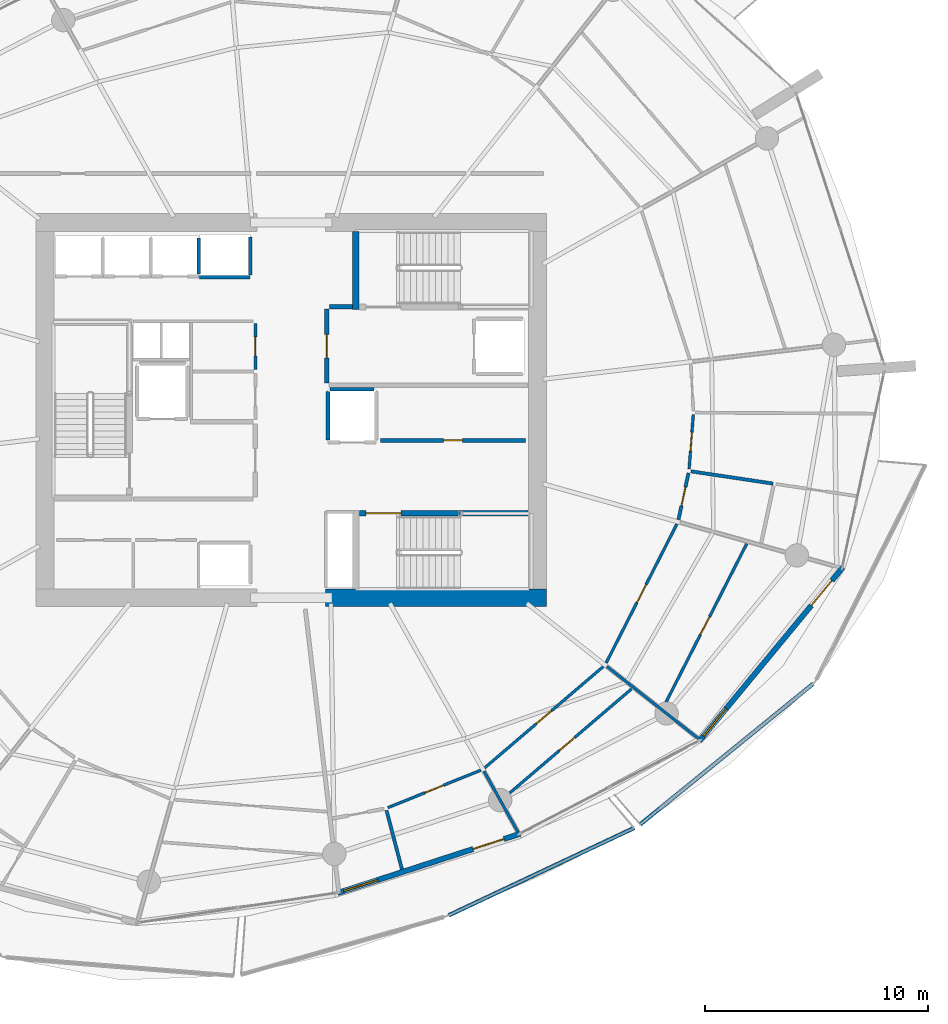
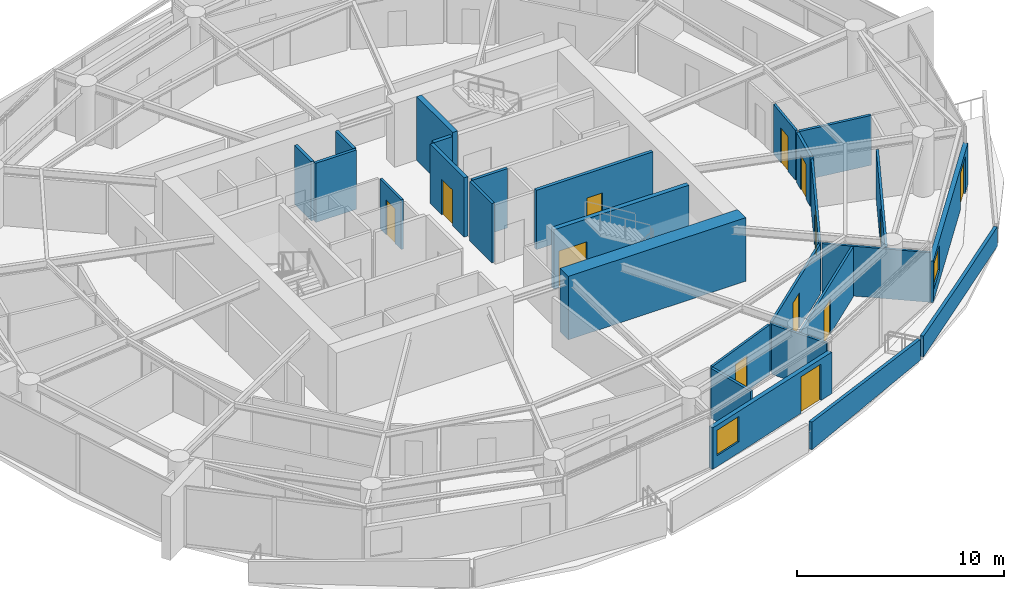
# One storey, part 13 of 20: 27 walls, 13 doors, 2 windows, 15 openings.
"""IFC4 building model written with IfcOpenShell, lengths in metres."""

from ifc_helpers import new_model, si_unit, direction, frame, frame_2d, origin, place, context, subcontext, project, spatial, polyline, rectangle, outline, extrude, material, layer, layer_set, type_object, element, fill, save


model = new_model("IFC4")

# Units and contexts
model_context = context("Model", 3, precision=1e-05, world=origin(), true_north=direction((0.0, 1.0)))
body_context = subcontext(model_context, "Body", "Model", "MODEL_VIEW")
ifc_project = project(units=[si_unit("LENGTHUNIT", "METRE"), si_unit("AREAUNIT", "SQUARE_METRE"), si_unit("VOLUMEUNIT", "CUBIC_METRE"), si_unit("PLANEANGLEUNIT", "RADIAN"), si_unit("MASSUNIT", "GRAM", prefix="KILO")], contexts=[model_context])

# Site, building, storey
site_placement = place(None, origin())
site = spatial("IfcSite", under=ifc_project, at=site_placement, CompositionType="ELEMENT")
building_placement = place(site_placement, origin())
building = spatial("IfcBuilding", under=site, at=building_placement, Name="Kazma Halo Residences", CompositionType="ELEMENT")
storey_placement = place(building_placement, frame((0.0, 0.0, 142.800048828125)))
storey = spatial("IfcBuildingStorey", under=building, at=storey_placement, Name="L35", CompositionType="ELEMENT", Elevation=142.800048828125)

# Walls
ifc_material_1 = material(Name="White Concrete C50/60 Balustrade", Category="concrete")
ifc_layer_1 = layer(ifc_material_1, 0.179931640625)
ifc_layer_set_1 = layer_set([ifc_layer_1], Name="White Concrete C50/60 Balustrade")
wall_type_1 = type_object("IfcWallType", Name="WL-BAL-WAVE-180", PredefinedType="PARAPET", material=ifc_layer_set_1)
wall_1_placement = place(storey_placement, frame((55.4775390625, 19.371826171875, 0.0), z_axis=(0.0, 0.0, 1.0), x_axis=(0.904569140233, 0.42632695263, 0.0)))
element("IfcWall", 1, at=wall_1_placement, inside=storey, type_object=wall_type_1, Name="L35 white wave balustrade wall SSE.2", PredefinedType="PARAPET", context=body_context, shape_type="SweptSolid", body=[
    extrude(outline(polyline([(0.0, 0.0), (9.184326171875, 0.0), (9.184326171875, 1.23291015625), (4.59228515625, 1.41796875), (0.0, 1.6318359375), (0.0, 0.0)])), frame((0.0, 0.08984375, 0.0), z_axis=(0.0, -1.0, 0.0), x_axis=(1.0, 0.0, 0.0)), (0.0, 0.0, 1.0), 0.179931640625),
])
wall_2_placement = place(storey_placement, frame((64.048828125, 23.43994140625, 0.0), z_axis=(0.0, 0.0, 1.0), x_axis=(0.77587192649, 0.630890445073, 0.0)))
element("IfcWall", 2, at=wall_2_placement, inside=storey, type_object=wall_type_1, Name="L35 white wave balustrade wall SE.1", PredefinedType="PARAPET", context=body_context, shape_type="SweptSolid", body=[
    extrude(outline(polyline([(0.0, 0.0), (9.99755859375, 0.0), (9.99755859375, 1.14794921875), (4.998779296875, 1.126953125), (0.0, 1.223876953125), (0.0, 0.0)])), frame((0.0, 0.08984375, 0.0), z_axis=(0.0, -1.0, 0.0), x_axis=(1.0, 0.0, 0.0)), (0.0, 0.0, 1.0), 0.179931640625),
])
ifc_material_2 = material(Name="Concrete C80/95", Category="concrete")
ifc_layer_2 = layer(ifc_material_2, 0.800048828125)
ifc_layer_set_2 = layer_set([ifc_layer_2], Name="Concrete C80/95")
wall_type_2 = type_object("IfcWallType", Name="WL-CORE-800", PredefinedType="SHEAR", material=ifc_layer_set_2)
wall_3_placement = place(storey_placement, frame((49.949951171875, 33.60009765625, 0.0), z_axis=(0.0, 0.0, 1.0), x_axis=(1.0, 0.0, 0.0)))
element("IfcWall", 3, at=wall_3_placement, inside=storey, type_object=wall_type_2, Name="L35 central core shear wall SE", PredefinedType="SHEAR", context=body_context, shape_type="SweptSolid", body=[
    extrude(rectangle(XDim=9.900146484375, YDim=0.800048828125, at=frame_2d((4.9501953125, 0.0))), origin(), (0.0, 0.0, 1.0), 3.75),
])
ifc_material_3 = material(Name="Concrete C60/75", Category="concrete")
ifc_layer_3 = layer(ifc_material_3, 0.280029296875)
ifc_layer_set_3 = layer_set([ifc_layer_3], Name="Concrete C60/75")
wall_type_3 = type_object("IfcWallType", Name="WL-CORE-ST-280", PredefinedType="SHEAR", material=ifc_layer_set_3)
wall_4_placement = place(storey_placement, frame((51.31005859375, 46.5, 0.0), z_axis=(0.0, 0.0, 1.0), x_axis=(0.0, 1.0, 0.0)))
element("IfcWall", 4, at=wall_4_placement, inside=storey, type_object=wall_type_3, Name="L35 stairwell bearing wall ST02-W", PredefinedType="SHEAR", context=body_context, shape_type="SweptSolid", body=[
    extrude(rectangle(XDim=3.5, YDim=0.280029296875, at=frame_2d((1.75, 0.0))), origin(), (0.0, 0.0, 1.0), 3.75),
])

# Wall, openings, door, window
ifc_material_4 = material(Name="Insulated Pale-Metal Composite Wall")
ifc_layer_4 = layer(ifc_material_4, 0.239990234375)
ifc_layer_set_4 = layer_set([ifc_layer_4], Name="Insulated Pale-Metal Composite Wall")
wall_type_4 = type_object("IfcWallType", Name="WL-EXT-HOST-240", PredefinedType="SOLIDWALL", material=ifc_layer_set_4)
wall_5_placement = place(storey_placement, frame((50.510009765625, 20.375732421875, 0.0), z_axis=(0.0, 0.0, 1.0), x_axis=(0.951046390632, 0.309048156224, 0.0)))
wall_5 = element("IfcWall", 5, at=wall_5_placement, inside=storey, type_object=wall_type_4, Name="L35 exterior terrace-access wall B12", PredefinedType="SOLIDWALL", context=body_context, shape_type="SweptSolid", body=[
    extrude(rectangle(XDim=8.590087890625, YDim=0.239990234375, at=frame_2d((4.294921875, 0.0))), origin(), (0.0, 0.0, 1.0), 2.449951171875),
])
opening_1_placement = place(wall_5_placement, frame((6.370361328125, 0.0, 0.0)))
opening_1 = element("IfcOpeningElement", 6, at=opening_1_placement, cuts=wall_5, Name="Opening DTR-1600", PredefinedType="OPENING", context=body_context, shape_type="SweptSolid", body=[
    extrude(rectangle(XDim=1.449951171875, YDim=2.14990234375, at=frame_2d((0.72509765625, 1.074951171875))), frame((0.0, 0.1298828125, 0.0), z_axis=(0.0, -1.0, 0.0), x_axis=(1.0, 0.0, 0.0)), (0.0, 0.0, 1.0), 0.260009765625),
])
opening_2_placement = place(wall_5_placement, frame((0.280029296875, 0.0, 0.64990234375)))
opening_2 = element("IfcOpeningElement", 7, at=opening_2_placement, cuts=wall_5, Name="Opening W-1800", PredefinedType="OPENING", context=body_context, shape_type="SweptSolid", body=[
    extrude(rectangle(XDim=1.60009765625, YDim=1.5, at=frame_2d((0.800048828125, 0.75))), frame((0.0, 0.1298828125, 0.0), z_axis=(0.0, -1.0, 0.0), x_axis=(1.0, 0.0, 0.0)), (0.0, 0.0, 1.0), 0.260009765625),
])
ifc_material_5 = material(Name="Aluminium AW-6063 T6 Double-Glazed Terrace Door", Category="aluminium")
door_type_1 = type_object("IfcDoorType", Name="DR-EXT-TERR-1600", OperationType="NOTDEFINED", PredefinedType="DOOR", material=ifc_material_5)
door_1_placement = place(opening_1_placement, origin())
door_1 = element("IfcDoor", 8, at=door_1_placement, inside=storey, type_object=door_type_1, Name="L35 B12 balcony terrace door", OperationType="DOUBLE_DOOR_SLIDING", OverallHeight=2.14990234375, OverallWidth=1.449951171875, PredefinedType="DOOR", context=body_context, shape_type="SweptSolid", body=[
    extrude(rectangle(XDim=1.449951171875, YDim=2.14990234375, at=frame_2d((0.72509765625, 1.074951171875))), frame((0.0, 0.02490234375, 0.0), z_axis=(0.0, -1.0, 0.0), x_axis=(1.0, 0.0, 0.0)), (0.0, 0.0, 1.0), 0.050048828125),
])
fill(opening_1, door_1)
ifc_material_6 = material(Name="Clear Triple-Silver Low-E Glass in Aluminium AW-6063 T6 Frame", Category="aluminium")
window_type = type_object("IfcWindowType", Name="WIN-RES-1800", PartitioningType="DOUBLE_PANEL_VERTICAL", PredefinedType="WINDOW", material=ifc_material_6)
window_1_placement = place(opening_2_placement, origin())
window_1 = element("IfcWindow", 9, at=window_1_placement, inside=storey, type_object=window_type, Name="L35 B12 apartment window", OverallHeight=1.5, OverallWidth=1.60009765625, PartitioningType="SINGLE_PANEL", PredefinedType="WINDOW", context=body_context, shape_type="SweptSolid", body=[
    extrude(rectangle(XDim=1.60009765625, YDim=1.5, at=frame_2d((0.800048828125, 0.75))), frame((0.0, 0.030029296875, 0.0), z_axis=(0.0, -1.0, 0.0), x_axis=(1.0, 0.0, 0.0)), (0.0, 0.0, 1.0), 0.06005859375),
])
fill(opening_2, window_1)

wall_6_placement = place(storey_placement, frame((66.70947265625, 27.18701171875, 0.0), z_axis=(0.0, 0.0, 1.0), x_axis=(0.636771922292, 0.77105221547, 0.0)))
wall_6 = element("IfcWall", 10, at=wall_6_placement, inside=storey, type_object=wall_type_4, Name="L35 exterior terrace-access wall B14", PredefinedType="SOLIDWALL", context=body_context, shape_type="SweptSolid", body=[
    extrude(rectangle(XDim=10.08154296875, YDim=0.239990234375, at=frame_2d((5.040771484375, 0.0))), origin(), (0.0, 0.0, 1.0), 2.449951171875),
])
opening_3_placement = place(wall_6_placement, frame((7.861572265625, 0.0, 0.0)))
opening_3 = element("IfcOpeningElement", 11, at=opening_3_placement, cuts=wall_6, Name="Opening DTR-1600", PredefinedType="OPENING", context=body_context, shape_type="SweptSolid", body=[
    extrude(rectangle(XDim=1.449951171875, YDim=2.14990234375, at=frame_2d((0.72509765625, 1.074951171875))), frame((0.0, 0.1298828125, 0.0), z_axis=(0.0, -1.0, 0.0), x_axis=(1.0, 0.0, 0.0)), (0.0, 0.0, 1.0), 0.260009765625),
])
opening_4_placement = place(wall_6_placement, frame((0.280029296875, 0.0, 0.64990234375)))
opening_4 = element("IfcOpeningElement", 12, at=opening_4_placement, cuts=wall_6, Name="Opening W-1800", PredefinedType="OPENING", context=body_context, shape_type="SweptSolid", body=[
    extrude(rectangle(XDim=1.60009765625, YDim=1.5, at=frame_2d((0.800048828125, 0.75))), frame((0.0, 0.1298828125, 0.0), z_axis=(0.0, -1.0, 0.0), x_axis=(1.0, 0.0, 0.0)), (0.0, 0.0, 1.0), 0.260009765625),
])
door_2_placement = place(opening_3_placement, origin())
door_2 = element("IfcDoor", 13, at=door_2_placement, inside=storey, type_object=door_type_1, Name="L35 B14 balcony terrace door", OperationType="DOUBLE_DOOR_SLIDING", OverallHeight=2.14990234375, OverallWidth=1.449951171875, PredefinedType="DOOR", context=body_context, shape_type="SweptSolid", body=[
    extrude(rectangle(XDim=1.449951171875, YDim=2.14990234375, at=frame_2d((0.72509765625, 1.074951171875))), frame((0.0, 0.02490234375, 0.0), z_axis=(0.0, -1.0, 0.0), x_axis=(1.0, 0.0, 0.0)), (0.0, 0.0, 1.0), 0.050048828125),
])
fill(opening_3, door_2)
window_2_placement = place(opening_4_placement, origin())
window_2 = element("IfcWindow", 14, at=window_2_placement, inside=storey, type_object=window_type, Name="L35 B14 apartment window", OverallHeight=1.5, OverallWidth=1.60009765625, PartitioningType="SINGLE_PANEL", PredefinedType="WINDOW", context=body_context, shape_type="SweptSolid", body=[
    extrude(rectangle(XDim=1.60009765625, YDim=1.5, at=frame_2d((0.800048828125, 0.75))), frame((0.0, 0.030029296875, 0.0), z_axis=(0.0, -1.0, 0.0), x_axis=(1.0, 0.0, 0.0)), (0.0, 0.0, 1.0), 0.06005859375),
])
fill(opening_4, window_2)

# Walls
ifc_material_7 = material(Name="Fire-Rated Blockwork Masonry", Category="masonry")
ifc_layer_5 = layer(ifc_material_7, 0.199951171875)
ifc_layer_set_5 = layer_set([ifc_layer_5], Name="Fire-Rated Blockwork Masonry")
wall_type_5 = type_object("IfcWallType", Name="WL-FLB-200", PredefinedType="PARTITIONING", material=ifc_layer_set_5)
wall_7_placement = place(storey_placement, frame((44.27490234375, 48.094970703125, 0.0), z_axis=(0.0, 0.0, 1.0), x_axis=(0.0, 1.0, 0.0)))
element("IfcWall", 15, at=wall_7_placement, inside=storey, type_object=wall_type_5, Name="L35 lift shaft PM-03 side wall E", PredefinedType="PARTITIONING", context=body_context, shape_type="SweptSolid", body=[
    extrude(rectangle(XDim=1.610107421875, YDim=0.159912109375, at=frame_2d((0.80517578125, 0.0))), origin(), (0.0, 0.0, 1.0), 3.5),
])
wall_8_placement = place(storey_placement, frame((46.580078125, 47.945068359375, 0.0), z_axis=(0.0, 0.0, 1.0), x_axis=(-1.0, 0.0, 0.0)))
element("IfcWall", 16, at=wall_8_placement, inside=storey, type_object=wall_type_5, Name="L35 lift shaft PX-01 front wall", PredefinedType="PARTITIONING", context=body_context, shape_type="SweptSolid", body=[
    extrude(rectangle(XDim=2.260009765625, YDim=0.159912109375, at=frame_2d((1.1298828125, 0.0))), origin(), (0.0, 0.0, 1.0), 3.5),
])
wall_9_placement = place(storey_placement, frame((46.580078125, 48.044921875, 0.0), z_axis=(0.0, 0.0, 1.0), x_axis=(0.0, 1.0, 0.0)))
element("IfcWall", 17, at=wall_9_placement, inside=storey, type_object=wall_type_5, Name="L35 lift shaft PX-01 side wall E", PredefinedType="PARTITIONING", context=body_context, shape_type="SweptSolid", body=[
    extrude(rectangle(XDim=1.7099609375, YDim=0.159912109375, at=frame_2d((0.85498046875, 0.0))), origin(), (0.0, 0.0, 1.0), 3.5),
])
wall_10_placement = place(storey_placement, frame((50.070068359375, 40.669921875, 0.0), z_axis=(0.0, 0.0, 1.0), x_axis=(0.0, 1.0, 0.0)))
element("IfcWall", 18, at=wall_10_placement, inside=storey, type_object=wall_type_5, Name="L35 lift shaft SV-01 side wall W", PredefinedType="PARTITIONING", context=body_context, shape_type="SweptSolid", body=[
    extrude(rectangle(XDim=2.16015625, YDim=0.159912109375, at=frame_2d((1.080078125, 0.0))), origin(), (0.0, 0.0, 1.0), 3.5),
])
wall_11_placement = place(storey_placement, frame((50.169921875, 42.929931640625, 0.0), z_axis=(0.0, 0.0, 1.0), x_axis=(1.0, 0.0, 0.0)))
element("IfcWall", 19, at=wall_11_placement, inside=storey, type_object=wall_type_5, Name="L35 lift shaft SV-01 side wall N", PredefinedType="PARTITIONING", context=body_context, shape_type="SweptSolid", body=[
    extrude(rectangle(XDim=1.9599609375, YDim=0.159912109375, at=frame_2d((0.97998046875, 0.0))), origin(), (0.0, 0.0, 1.0), 3.5),
])

# Wall, opening, door
wall_12_placement = place(storey_placement, frame((52.419921875, 40.64990234375, 0.0), z_axis=(0.0, 0.0, 1.0), x_axis=(1.0, 0.0, 0.0)))
wall_12 = element("IfcWall", 20, at=wall_12_placement, inside=storey, type_object=wall_type_5, Name="L35 core east reserve wall", PredefinedType="PARTITIONING", context=body_context, shape_type="SweptSolid", body=[
    extrude(rectangle(XDim=6.5, YDim=0.179931640625, at=frame_2d((3.25, 0.0))), origin(), (0.0, 0.0, 1.0), 3.5),
])
opening_5_placement = place(wall_12_placement, frame((2.824951171875, 0.0, 0.0)))
opening_5 = element("IfcOpeningElement", 21, at=opening_5_placement, cuts=wall_12, Name="Opening DS-850", PredefinedType="OPENING", context=body_context, shape_type="SweptSolid", body=[
    extrude(rectangle(XDim=0.85009765625, YDim=2.06005859375, at=frame_2d((0.425048828125, 1.030029296875))), frame((0.0, 0.099853515625, 0.0), z_axis=(0.0, -1.0, 0.0), x_axis=(1.0, 0.0, 0.0)), (0.0, 0.0, 1.0), 0.199951171875),
])
ifc_material_8 = material(Name="Painted Steel Access Leaf", Category="steel")
door_type_2 = type_object("IfcDoorType", Name="DR-SVC-850", OperationType="NOTDEFINED", PredefinedType="DOOR", material=ifc_material_8)
door_3_placement = place(opening_5_placement, origin())
door_3 = element("IfcDoor", 22, at=door_3_placement, inside=storey, type_object=door_type_2, Name="L35 core east reserve door", OperationType="SINGLE_SWING_RIGHT", OverallHeight=2.06005859375, OverallWidth=0.85009765625, PredefinedType="DOOR", context=body_context, shape_type="SweptSolid", body=[
    extrude(rectangle(XDim=0.85009765625, YDim=2.06005859375, at=frame_2d((0.425048828125, 1.030029296875))), frame((0.0, 0.02490234375, 0.0), z_axis=(0.0, -1.0, 0.0), x_axis=(1.0, 0.0, 0.0)), (0.0, 0.0, 1.0), 0.050048828125),
])
fill(opening_5, door_3)

# Wall
wall_13_placement = place(storey_placement, frame((50.139892578125, 46.6201171875, 0.0), z_axis=(0.0, 0.0, 1.0), x_axis=(1.0, 0.0, 0.0)))
element("IfcWall", 23, at=wall_13_placement, inside=storey, type_object=wall_type_5, Name="L35 east firefighting lobby north closure wall", PredefinedType="PARTITIONING", context=body_context, shape_type="SweptSolid", body=[
    extrude(rectangle(XDim=1.02001953125, YDim=0.199951171875, at=frame_2d((0.510009765625, 0.0))), origin(), (0.0, 0.0, 1.0), 3.5),
])

# Wall, opening, door
wall_14_placement = place(storey_placement, frame((50.02001953125, 43.219970703125, 0.0), z_axis=(0.0, 0.0, 1.0), x_axis=(0.0, 1.0, 0.0)))
wall_14 = element("IfcWall", 24, at=wall_14_placement, inside=storey, type_object=wall_type_5, Name="L35 east firefighting lobby smoke wall", PredefinedType="PARTITIONING", context=body_context, shape_type="SweptSolid", body=[
    extrude(rectangle(XDim=3.300048828125, YDim=0.199951171875, at=frame_2d((1.64990234375, 0.0))), origin(), (0.0, 0.0, 1.0), 3.5),
])
opening_6_placement = place(wall_14_placement, frame((1.125, 0.0, 0.0)))
opening_6 = element("IfcOpeningElement", 25, at=opening_6_placement, cuts=wall_14, Name="Opening D-FLE", PredefinedType="OPENING", context=body_context, shape_type="SweptSolid", body=[
    extrude(rectangle(XDim=1.050048828125, YDim=2.10009765625, at=frame_2d((0.52490234375, 1.050048828125))), frame((0.0, 0.10986328125, 0.0), z_axis=(0.0, -1.0, 0.0), x_axis=(1.0, 0.0, 0.0)), (0.0, 0.0, 1.0), 0.219970703125),
])
ifc_material_9 = material(Name="Fire-Rated Steel Leaf", Category="steel")
door_type_3 = type_object("IfcDoorType", Name="DR-FD90-1050", OperationType="NOTDEFINED", PredefinedType="DOOR", material=ifc_material_9)
door_4_placement = place(opening_6_placement, origin())
door_4 = element("IfcDoor", 26, at=door_4_placement, inside=storey, type_object=door_type_3, Name="L35 east firefighting lobby smoke door", OperationType="SINGLE_SWING_LEFT", OverallHeight=2.10009765625, OverallWidth=1.050048828125, PredefinedType="DOOR", context=body_context, shape_type="SweptSolid", body=[
    extrude(rectangle(XDim=1.050048828125, YDim=2.10009765625, at=frame_2d((0.52490234375, 1.050048828125))), frame((0.0, 0.02490234375, 0.0), z_axis=(0.0, -1.0, 0.0), x_axis=(1.0, 0.0, 0.0)), (0.0, 0.0, 1.0), 0.050048828125),
])
fill(opening_6, door_4)

ifc_material_10 = material(Name="Gypsum Plasterboard Partition")
ifc_layer_6 = layer(ifc_material_10, 0.125)
ifc_layer_set_6 = layer_set([ifc_layer_6], Name="Gypsum Plasterboard Partition")
wall_type_6 = type_object("IfcWallType", Name="WL-PART-125", PredefinedType="PARTITIONING", material=ifc_layer_set_6)
wall_15_placement = place(storey_placement, frame((46.820068359375, 43.830078125, 0.0), z_axis=(0.0, 0.0, 1.0), x_axis=(0.0, 1.0, 0.0)))
wall_15 = element("IfcWall", 27, at=wall_15_placement, inside=storey, type_object=wall_type_6, Name="L35 telecom IDF room east wall", PredefinedType="PARTITIONING", context=body_context, shape_type="SweptSolid", body=[
    extrude(rectangle(XDim=2.0498046875, YDim=0.125, at=frame_2d((1.02490234375, 0.0))), origin(), (0.0, 0.0, 1.0), 2.93994140625),
])
opening_7_placement = place(wall_15_placement, frame((0.60009765625, 0.0, 0.0)))
opening_7 = element("IfcOpeningElement", 28, at=opening_7_placement, cuts=wall_15, Name="Opening DS-850", PredefinedType="OPENING", context=body_context, shape_type="SweptSolid", body=[
    extrude(rectangle(XDim=0.85009765625, YDim=2.06005859375, at=frame_2d((0.425048828125, 1.030029296875))), frame((0.0, 0.072509765625, 0.0), z_axis=(0.0, -1.0, 0.0), x_axis=(1.0, 0.0, 0.0)), (0.0, 0.0, 1.0), 0.14501953125),
])
door_5_placement = place(opening_7_placement, origin())
door_5 = element("IfcDoor", 29, at=door_5_placement, inside=storey, type_object=door_type_2, Name="L35 telecom IDF room door", OperationType="SINGLE_SWING_LEFT", OverallHeight=2.06005859375, OverallWidth=0.85009765625, PredefinedType="DOOR", context=body_context, shape_type="SweptSolid", body=[
    extrude(rectangle(XDim=0.85009765625, YDim=2.06005859375, at=frame_2d((0.425048828125, 1.030029296875))), frame((0.0, 0.02490234375, 0.0), z_axis=(0.0, -1.0, 0.0), x_axis=(1.0, 0.0, 0.0)), (0.0, 0.0, 1.0), 0.050048828125),
])
fill(opening_7, door_5)

wall_16_placement = place(storey_placement, frame((52.753173828125, 24.19580078125, 0.0), z_axis=(0.0, 0.0, 1.0), x_axis=(0.927460636041, 0.373920805243, 0.0)))
wall_16 = element("IfcWall", 30, at=wall_16_placement, inside=storey, type_object=wall_type_6, Name="L35 Apartment 2 Gourmet Kitchen hall wall", PredefinedType="PARTITIONING", context=body_context, shape_type="SweptSolid", body=[
    extrude(rectangle(XDim=4.489501953125, YDim=0.125, at=frame_2d((2.24462890625, 0.0))), origin(), (0.0, 0.0, 1.0), 2.93994140625),
])
opening_8_placement = place(wall_16_placement, frame((1.794677734375, 0.0, 0.0)))
opening_8 = element("IfcOpeningElement", 31, at=opening_8_placement, cuts=wall_16, Name="Opening DI-950", PredefinedType="OPENING", context=body_context, shape_type="SweptSolid", body=[
    extrude(rectangle(XDim=0.89990234375, YDim=2.080078125, at=frame_2d((0.449951171875, 1.0400390625))), frame((0.0, 0.072509765625, 0.0), z_axis=(0.0, -1.0, 0.0), x_axis=(1.0, 0.0, 0.0)), (0.0, 0.0, 1.0), 0.14501953125),
])
ifc_material_11 = material(Name="Timber Veneer Flush Leaf", Category="wood")
door_type_4 = type_object("IfcDoorType", Name="DR-INT-950", OperationType="NOTDEFINED", PredefinedType="DOOR", material=ifc_material_11)
door_6_placement = place(opening_8_placement, origin())
door_6 = element("IfcDoor", 32, at=door_6_placement, inside=storey, type_object=door_type_4, Name="L35 Apartment 2 Gourmet Kitchen door", OperationType="SINGLE_SWING_LEFT", OverallHeight=2.080078125, OverallWidth=0.89990234375, PredefinedType="DOOR", context=body_context, shape_type="SweptSolid", body=[
    extrude(rectangle(XDim=0.89990234375, YDim=2.080078125, at=frame_2d((0.449951171875, 1.0400390625))), frame((0.0, 0.02490234375, 0.0), z_axis=(0.0, -1.0, 0.0), x_axis=(1.0, 0.0, 0.0)), (0.0, 0.0, 1.0), 0.050048828125),
])
fill(opening_8, door_6)

# Wall
wall_17_placement = place(storey_placement, frame((57.05859375, 25.82470703125, 0.0), z_axis=(0.0, 0.0, 1.0), x_axis=(0.488620181058, -0.872496600946, 0.0)))
element("IfcWall", 33, at=wall_17_placement, inside=storey, type_object=wall_type_6, Name="L35 Apartment 2 radial partition 12", PredefinedType="PARTITIONING", context=body_context, shape_type="SweptSolid", body=[
    extrude(rectangle(XDim=3.095458984375, YDim=0.125, at=frame_2d((1.5478515625, 0.0))), origin(), (0.0, 0.0, 1.0), 2.93994140625),
])

# Wall, opening, door
wall_18_placement = place(storey_placement, frame((57.09326171875, 25.9833984375, 0.0), z_axis=(0.0, 0.0, 1.0), x_axis=(0.76040680935, 0.649447060425, 0.0)))
wall_18 = element("IfcWall", 34, at=wall_18_placement, inside=storey, type_object=wall_type_6, Name="L35 Apartment 2 Primary Study hall wall", PredefinedType="PARTITIONING", context=body_context, shape_type="SweptSolid", body=[
    extrude(rectangle(XDim=6.974853515625, YDim=0.125, at=frame_2d((3.4873046875, 0.0))), origin(), (0.0, 0.0, 1.0), 2.93994140625),
])
opening_9_placement = place(wall_18_placement, frame((3.037353515625, 0.0, 0.0)))
opening_9 = element("IfcOpeningElement", 35, at=opening_9_placement, cuts=wall_18, Name="Opening DI-950", PredefinedType="OPENING", context=body_context, shape_type="SweptSolid", body=[
    extrude(rectangle(XDim=0.89990234375, YDim=2.080078125, at=frame_2d((0.449951171875, 1.0400390625))), frame((0.0, 0.072509765625, 0.0), z_axis=(0.0, -1.0, 0.0), x_axis=(1.0, 0.0, 0.0)), (0.0, 0.0, 1.0), 0.14501953125),
])
door_7_placement = place(opening_9_placement, origin())
door_7 = element("IfcDoor", 36, at=door_7_placement, inside=storey, type_object=door_type_4, Name="L35 Apartment 2 Primary Study door", OperationType="SINGLE_SWING_RIGHT", OverallHeight=2.080078125, OverallWidth=0.89990234375, PredefinedType="DOOR", context=body_context, shape_type="SweptSolid", body=[
    extrude(rectangle(XDim=0.89990234375, YDim=2.080078125, at=frame_2d((0.449951171875, 1.0400390625))), frame((0.0, 0.02490234375, 0.0), z_axis=(0.0, -1.0, 0.0), x_axis=(1.0, 0.0, 0.0)), (0.0, 0.0, 1.0), 0.050048828125),
])
fill(opening_9, door_7)

wall_19_placement = place(storey_placement, frame((57.88232421875, 24.574462890625, 0.0), z_axis=(0.0, 0.0, 1.0), x_axis=(0.760417937401, 0.649434030891, 0.0)))
wall_19 = element("IfcWall", 37, at=wall_19_placement, inside=storey, type_object=wall_type_6, Name="L35 Apartment 2 Secondary Bedroom divider wall", PredefinedType="PARTITIONING", context=body_context, shape_type="SweptSolid", body=[
    extrude(rectangle(XDim=7.604736328125, YDim=0.125, at=frame_2d((3.80224609375, 0.0))), origin(), (0.0, 0.0, 1.0), 2.93994140625),
])
opening_10_placement = place(wall_19_placement, frame((3.352294921875, 0.0, 0.0)))
opening_10 = element("IfcOpeningElement", 38, at=opening_10_placement, cuts=wall_19, Name="Opening DI-950", PredefinedType="OPENING", context=body_context, shape_type="SweptSolid", body=[
    extrude(rectangle(XDim=0.89990234375, YDim=2.080078125, at=frame_2d((0.449951171875, 1.0400390625))), frame((0.0, 0.072509765625, 0.0), z_axis=(0.0, -1.0, 0.0), x_axis=(1.0, 0.0, 0.0)), (0.0, 0.0, 1.0), 0.14501953125),
])
door_8_placement = place(opening_10_placement, origin())
door_8 = element("IfcDoor", 39, at=door_8_placement, inside=storey, type_object=door_type_4, Name="L35 Apartment 2 Secondary Bedroom door", OperationType="SINGLE_SWING_LEFT", OverallHeight=2.080078125, OverallWidth=0.89990234375, PredefinedType="DOOR", context=body_context, shape_type="SweptSolid", body=[
    extrude(rectangle(XDim=0.89990234375, YDim=2.080078125, at=frame_2d((0.449951171875, 1.0400390625))), frame((0.0, 0.02490234375, 0.0), z_axis=(0.0, -1.0, 0.0), x_axis=(1.0, 0.0, 0.0)), (0.0, 0.0, 1.0), 0.050048828125),
])
fill(opening_10, door_8)

# Wall
wall_20_placement = place(storey_placement, frame((62.55908203125, 30.522705078125, 0.0), z_axis=(0.0, 0.0, 1.0), x_axis=(0.785319981095, -0.619090080112, 0.0)))
element("IfcWall", 40, at=wall_20_placement, inside=storey, type_object=wall_type_6, Name="L35 Apartment 2 radial partition 13", PredefinedType="PARTITIONING", context=body_context, shape_type="SweptSolid", body=[
    extrude(rectangle(XDim=5.300537109375, YDim=0.125, at=frame_2d((2.650390625, 0.0))), origin(), (0.0, 0.0, 1.0), 2.93994140625),
])

# Wall, opening, door
wall_21_placement = place(storey_placement, frame((62.530517578125, 30.6826171875, 0.0), z_axis=(0.0, 0.0, 1.0), x_axis=(0.453977694262, 0.891013048789, 0.0)))
wall_21 = element("IfcWall", 41, at=wall_21_placement, inside=storey, type_object=wall_type_6, Name="L35 Apartment 2 East Study hall wall", PredefinedType="PARTITIONING", context=body_context, shape_type="SweptSolid", body=[
    extrude(rectangle(XDim=6.974365234375, YDim=0.125, at=frame_2d((3.4873046875, 0.0))), origin(), (0.0, 0.0, 1.0), 2.93994140625),
])
opening_11_placement = place(wall_21_placement, frame((3.037353515625, 0.0, 0.0)))
opening_11 = element("IfcOpeningElement", 42, at=opening_11_placement, cuts=wall_21, Name="Opening DI-950", PredefinedType="OPENING", context=body_context, shape_type="SweptSolid", body=[
    extrude(rectangle(XDim=0.89990234375, YDim=2.080078125, at=frame_2d((0.449951171875, 1.0400390625))), frame((0.0, 0.072509765625, 0.0), z_axis=(0.0, -1.0, 0.0), x_axis=(1.0, 0.0, 0.0)), (0.0, 0.0, 1.0), 0.14501953125),
])
door_9_placement = place(opening_11_placement, origin())
door_9 = element("IfcDoor", 43, at=door_9_placement, inside=storey, type_object=door_type_4, Name="L35 Apartment 2 East Study door", OperationType="SINGLE_SWING_LEFT", OverallHeight=2.080078125, OverallWidth=0.89990234375, PredefinedType="DOOR", context=body_context, shape_type="SweptSolid", body=[
    extrude(rectangle(XDim=0.89990234375, YDim=2.080078125, at=frame_2d((0.449951171875, 1.0400390625))), frame((0.0, 0.02490234375, 0.0), z_axis=(0.0, -1.0, 0.0), x_axis=(1.0, 0.0, 0.0)), (0.0, 0.0, 1.0), 0.050048828125),
])
fill(opening_11, door_9)

wall_22_placement = place(storey_placement, frame((65.081787109375, 28.671142578125, 0.0), z_axis=(0.0, 0.0, 1.0), x_axis=(0.454001657521, 0.891000838927, 0.0)))
wall_22 = element("IfcWall", 44, at=wall_22_placement, inside=storey, type_object=wall_type_6, Name="L35 Apartment 2 West Bedroom divider wall", PredefinedType="PARTITIONING", context=body_context, shape_type="SweptSolid", body=[
    extrude(rectangle(XDim=8.2421875, YDim=0.125, at=frame_2d((4.12109375, 0.0))), origin(), (0.0, 0.0, 1.0), 2.93994140625),
])
opening_12_placement = place(wall_22_placement, frame((3.671142578125, 0.0, 0.0)))
opening_12 = element("IfcOpeningElement", 45, at=opening_12_placement, cuts=wall_22, Name="Opening DI-950", PredefinedType="OPENING", context=body_context, shape_type="SweptSolid", body=[
    extrude(rectangle(XDim=0.89990234375, YDim=2.080078125, at=frame_2d((0.449951171875, 1.0400390625))), frame((0.0, 0.072509765625, 0.0), z_axis=(0.0, -1.0, 0.0), x_axis=(1.0, 0.0, 0.0)), (0.0, 0.0, 1.0), 0.14501953125),
])
door_10_placement = place(opening_12_placement, origin())
door_10 = element("IfcDoor", 46, at=door_10_placement, inside=storey, type_object=door_type_4, Name="L35 Apartment 2 West Bedroom door", OperationType="SINGLE_SWING_RIGHT", OverallHeight=2.080078125, OverallWidth=0.89990234375, PredefinedType="DOOR", context=body_context, shape_type="SweptSolid", body=[
    extrude(rectangle(XDim=0.89990234375, YDim=2.080078125, at=frame_2d((0.449951171875, 1.0400390625))), frame((0.0, 0.02490234375, 0.0), z_axis=(0.0, -1.0, 0.0), x_axis=(1.0, 0.0, 0.0)), (0.0, 0.0, 1.0), 0.050048828125),
])
fill(opening_12, door_10)

wall_23_placement = place(storey_placement, frame((66.2431640625, 39.36279296875, 0.0), z_axis=(0.0, 0.0, 1.0), x_axis=(0.077198584258, 0.99701573638, 0.0)))
wall_23 = element("IfcWall", 47, at=wall_23_placement, inside=storey, type_object=wall_type_6, Name="L35 Apartment 2 Inner Private Study hall wall", PredefinedType="PARTITIONING", context=body_context, shape_type="SweptSolid", body=[
    extrude(rectangle(XDim=2.4541015625, YDim=0.125, at=frame_2d((1.22705078125, 0.0))), origin(), (0.0, 0.0, 1.0), 2.93994140625),
])
opening_13_placement = place(wall_23_placement, frame((0.802001953125, 0.0, 0.0)))
opening_13 = element("IfcOpeningElement", 48, at=opening_13_placement, cuts=wall_23, Name="Opening DB-900", PredefinedType="OPENING", context=body_context, shape_type="SweptSolid", body=[
    extrude(rectangle(XDim=0.85009765625, YDim=2.06005859375, at=frame_2d((0.425048828125, 1.030029296875))), frame((0.0, 0.072509765625, 0.0), z_axis=(0.0, -1.0, 0.0), x_axis=(1.0, 0.0, 0.0)), (0.0, 0.0, 1.0), 0.14501953125),
])
ifc_material_12 = material(Name="Moisture-Sealed Timber Leaf", Category="wood")
door_type_5 = type_object("IfcDoorType", Name="DR-BTH-900", OperationType="NOTDEFINED", PredefinedType="DOOR", material=ifc_material_12)
door_11_placement = place(opening_13_placement, origin())
door_11 = element("IfcDoor", 49, at=door_11_placement, inside=storey, type_object=door_type_5, Name="L35 Apartment 2 Inner Private Study door", OperationType="SINGLE_SWING_RIGHT", OverallHeight=2.06005859375, OverallWidth=0.85009765625, PredefinedType="DOOR", context=body_context, shape_type="SweptSolid", body=[
    extrude(rectangle(XDim=0.85009765625, YDim=2.06005859375, at=frame_2d((0.425048828125, 1.030029296875))), frame((0.0, 0.02490234375, 0.0), z_axis=(0.0, -1.0, 0.0), x_axis=(1.0, 0.0, 0.0)), (0.0, 0.0, 1.0), 0.050048828125),
])
fill(opening_13, door_11)

ifc_material_13 = material(Name="Concrete C50/60", Category="concrete")
ifc_layer_7 = layer(ifc_material_13, 0.25)
ifc_layer_set_7 = layer_set([ifc_layer_7], Name="Concrete C50/60")
wall_type_7 = type_object("IfcWallType", Name="WL-SHF-250", PredefinedType="SOLIDWALL", material=ifc_layer_set_7)
wall_24_placement = place(storey_placement, frame((51.47998046875, 37.3798828125, 0.0), z_axis=(0.0, 0.0, 1.0), x_axis=(1.0, 0.0, 0.0)))
wall_24 = element("IfcWall", 50, at=wall_24_placement, inside=storey, type_object=wall_type_7, Name="L35 exit stair ST-03 enclosure wall", PredefinedType="SOLIDWALL", context=body_context, shape_type="SweptSolid", body=[
    extrude(rectangle(XDim=7.5400390625, YDim=0.25, at=frame_2d((3.77001953125, 0.0))), origin(), (0.0, 0.0, 1.0), 3.5),
])
opening_14_placement = place(wall_24_placement, frame((0.300048828125, 0.0, 0.0)))
opening_14 = element("IfcOpeningElement", 51, at=opening_14_placement, cuts=wall_24, Name="Opening D-ST3", PredefinedType="OPENING", context=body_context, shape_type="SweptSolid", body=[
    extrude(rectangle(XDim=1.550048828125, YDim=2.14990234375, at=frame_2d((0.77490234375, 1.074951171875))), frame((0.0, 0.135009765625, 0.0), z_axis=(0.0, -1.0, 0.0), x_axis=(1.0, 0.0, 0.0)), (0.0, 0.0, 1.0), 0.27001953125),
])
ifc_material_14 = material(Name="Fire-Rated Double Steel Leaf", Category="steel")
door_type_6 = type_object("IfcDoorType", Name="DR-FD90-1550", OperationType="NOTDEFINED", PredefinedType="DOOR", material=ifc_material_14)
door_12_placement = place(opening_14_placement, origin())
door_12 = element("IfcDoor", 52, at=door_12_placement, inside=storey, type_object=door_type_6, Name="L35 exit stair ST-03 fire door", OperationType="DOUBLE_DOOR_SINGLE_SWING", OverallHeight=2.14990234375, OverallWidth=1.550048828125, PredefinedType="DOOR", context=body_context, shape_type="SweptSolid", body=[
    extrude(rectangle(XDim=1.550048828125, YDim=2.14990234375, at=frame_2d((0.77490234375, 1.074951171875))), frame((0.0, 0.02490234375, 0.0), z_axis=(0.0, -1.0, 0.0), x_axis=(1.0, 0.0, 0.0)), (0.0, 0.0, 1.0), 0.050048828125),
])
fill(opening_14, door_12)

# Wall
ifc_material_15 = material(Name="Moisture-Resistant Gypsum")
ifc_layer_8 = layer(ifc_material_15, 0.14990234375)
ifc_layer_set_8 = layer_set([ifc_layer_8], Name="Moisture-Resistant Gypsum")
wall_type_8 = type_object("IfcWallType", Name="WL-WET-150", PredefinedType="PARTITIONING", material=ifc_layer_set_8)
wall_25_placement = place(storey_placement, frame((52.6923828125, 24.074951171875, 0.0), z_axis=(0.0, 0.0, 1.0), x_axis=(0.253235556915, -0.967404647867, 0.0)))
element("IfcWall", 53, at=wall_25_placement, inside=storey, type_object=wall_type_8, Name="L35 Apartment 2 Guest Bathroom side wall", PredefinedType="PARTITIONING", context=body_context, shape_type="SweptSolid", body=[
    extrude(rectangle(XDim=2.7236328125, YDim=0.14990234375, at=frame_2d((1.36181640625, 0.0))), origin(), (0.0, 0.0, 1.0), 2.93994140625),
])

# Wall, opening, door
wall_26_placement = place(storey_placement, frame((65.767578125, 37.0927734375, 0.0), z_axis=(0.0, 0.0, 1.0), x_axis=(0.210136736931, 0.977672006243, 0.0)))
wall_26 = element("IfcWall", 54, at=wall_26_placement, inside=storey, type_object=wall_type_8, Name="L35 Apartment 2 North En-Suite Bathroom hall wall", PredefinedType="PARTITIONING", context=body_context, shape_type="SweptSolid", body=[
    extrude(rectangle(XDim=2.14013671875, YDim=0.14990234375, at=frame_2d((1.070068359375, 0.0))), origin(), (0.0, 0.0, 1.0), 2.93994140625),
])
opening_15_placement = place(wall_26_placement, frame((0.64501953125, 0.0, 0.0)))
opening_15 = element("IfcOpeningElement", 55, at=opening_15_placement, cuts=wall_26, Name="Opening DB-900", PredefinedType="OPENING", context=body_context, shape_type="SweptSolid", body=[
    extrude(rectangle(XDim=0.85009765625, YDim=2.06005859375, at=frame_2d((0.425048828125, 1.030029296875))), frame((0.0, 0.0849609375, 0.0), z_axis=(0.0, -1.0, 0.0), x_axis=(1.0, 0.0, 0.0)), (0.0, 0.0, 1.0), 0.169921875),
])
door_13_placement = place(opening_15_placement, origin())
door_13 = element("IfcDoor", 56, at=door_13_placement, inside=storey, type_object=door_type_5, Name="L35 Apartment 2 North En-Suite Bathroom door", OperationType="SINGLE_SWING_RIGHT", OverallHeight=2.06005859375, OverallWidth=0.85009765625, PredefinedType="DOOR", context=body_context, shape_type="SweptSolid", body=[
    extrude(rectangle(XDim=0.85009765625, YDim=2.06005859375, at=frame_2d((0.425048828125, 1.030029296875))), frame((0.0, 0.02490234375, 0.0), z_axis=(0.0, -1.0, 0.0), x_axis=(1.0, 0.0, 0.0)), (0.0, 0.0, 1.0), 0.050048828125),
])
fill(opening_15, door_13)

# Wall
wall_27_placement = place(storey_placement, frame((66.3251953125, 39.259765625, 0.0), z_axis=(0.0, 0.0, 1.0), x_axis=(0.988998843182, -0.147923250997, 0.0)))
element("IfcWall", 57, at=wall_27_placement, inside=storey, type_object=wall_type_8, Name="L35 Apartment 2 North En-Suite Bathroom side wall", PredefinedType="PARTITIONING", context=body_context, shape_type="SweptSolid", body=[
    extrude(rectangle(XDim=3.72021484375, YDim=0.14990234375, at=frame_2d((1.860107421875, 0.0))), origin(), (0.0, 0.0, 1.0), 2.93994140625),
])

save(model, "model.ifc")
